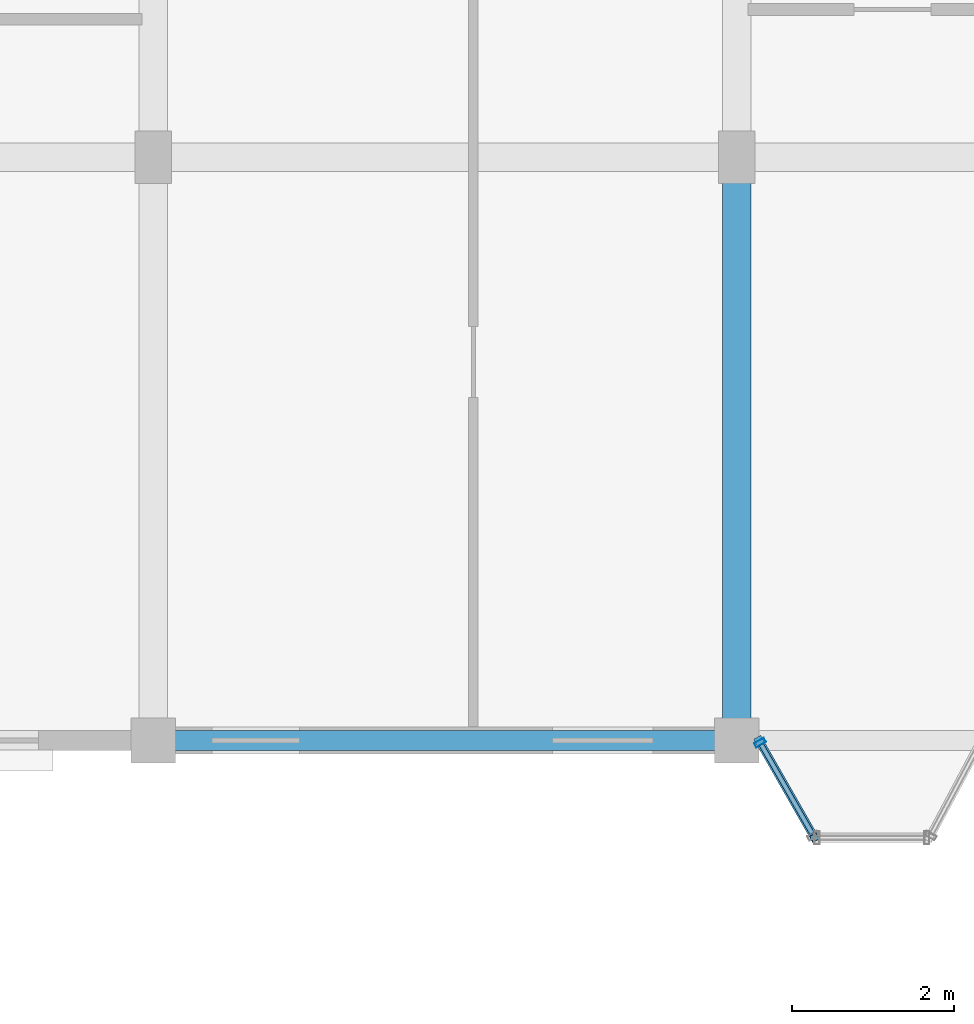
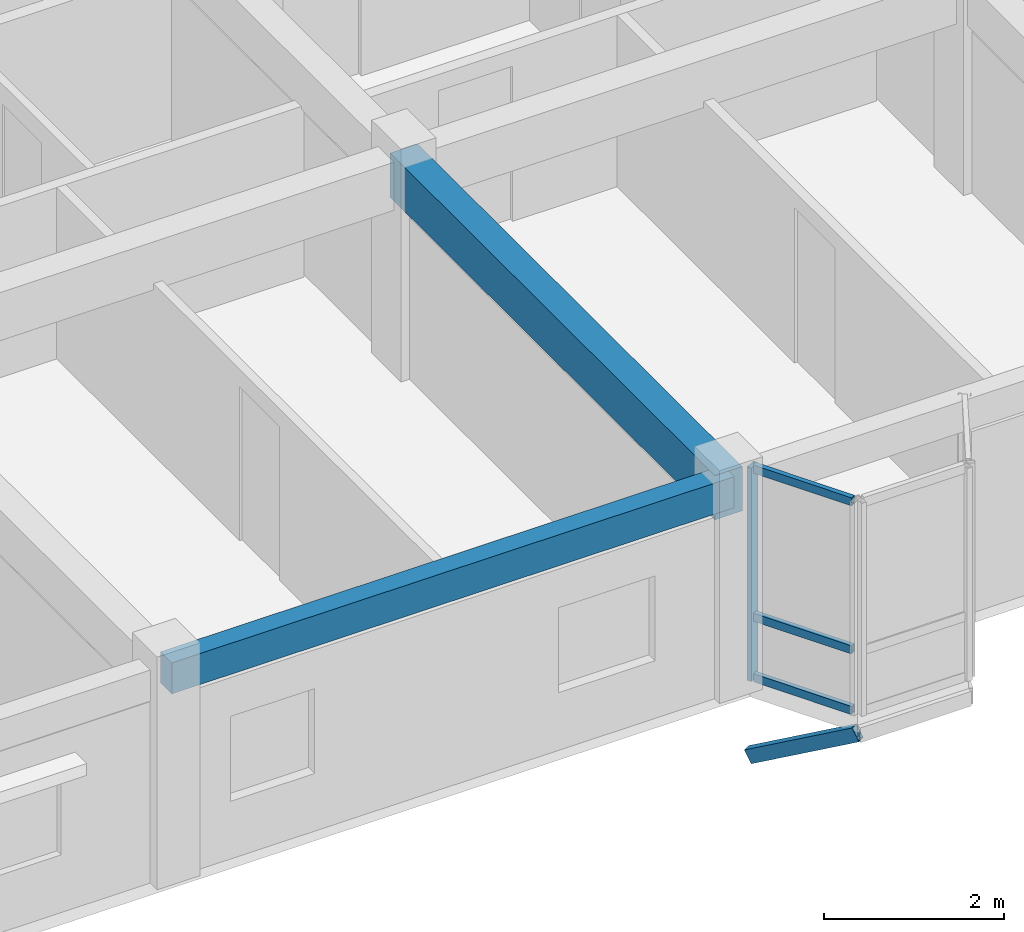
# One storey, part 35 of 77: 5 members, 2 beams, 1 element without a shape of its own.
"""IFC4 building model written with IfcOpenShell, lengths in metres."""

from ifc_helpers import new_model, si_unit, direction, frame, origin, origin_2d, place, context, subcontext, project, spatial, rectangle, hollow_rectangle, extrude, material, layer, layer_set, material_profile, profile_set, type_object, element, aggregate, save


model = new_model("IFC4")

# Units and contexts
model_context = context("Model", 3, precision=1e-05, world=origin(), true_north=direction((0.0, 1.0)))
body_context = subcontext(model_context, "Body", "Model", "MODEL_VIEW")
ifc_project = project(units=[si_unit("LENGTHUNIT", "METRE"), si_unit("AREAUNIT", "SQUARE_METRE"), si_unit("VOLUMEUNIT", "CUBIC_METRE"), si_unit("PLANEANGLEUNIT", "RADIAN"), si_unit("MASSUNIT", "GRAM", prefix="KILO"), si_unit("THERMODYNAMICTEMPERATUREUNIT", "KELVIN"), si_unit("POWERUNIT", "WATT")], contexts=[model_context])

# Site, building, storey
site_placement = place(None, origin())
site = spatial("IfcSite", under=ifc_project, at=site_placement, CompositionType="ELEMENT")
building_placement = place(site_placement, origin())
building = spatial("IfcBuilding", under=site, at=building_placement, Name="Tavuni Mirador Residences", CompositionType="ELEMENT")
storey_placement = place(building_placement, frame((0.0, 0.0, 17.10009765625)))
storey = spatial("IfcBuildingStorey", under=building, at=storey_placement, Name="L05", CompositionType="ELEMENT", Elevation=17.10009765625)

# Beams
ifc_material_1 = material(Name="Precast concrete C40/50", Category="concrete")
ifc_material_profile_1 = material_profile(ifc_material_1, rectangle(XDim=0.35009765625, YDim=0.60009765625, at=origin_2d()), Name="PC 350x600", Category="concrete")
ifc_profile_set_1 = profile_set([ifc_material_profile_1], Name="Precast concrete C40/50")
beam_type_1 = type_object("IfcBeamType", Name="BT-B600", PredefinedType="BEAM", material=ifc_profile_set_1)
beam_1_placement = place(storey_placement, frame((32.39990234375, 144.0, 2.5849609375), z_axis=(0.0, 1.0, 0.0), x_axis=(-1.0, 0.0, 0.0)))
element("IfcBeam", 1, at=beam_1_placement, inside=storey, type_object=beam_type_1, Name="BMY-BLK-C-L05-03-00", PredefinedType="BEAM", context=body_context, shape_type="SweptSolid", body=[
    extrude(rectangle(XDim=0.35009765625, YDim=0.60009765625, at=origin_2d()), origin(), (0.0, 0.0, 1.0), 7.199951171875),
])
ifc_material_profile_2 = material_profile(ifc_material_1, rectangle(XDim=0.25, YDim=0.419921875, at=origin_2d()), Name="PC 250x420", Category="concrete")
ifc_profile_set_2 = profile_set([ifc_material_profile_2], Name="Precast concrete C40/50")
beam_type_2 = type_object("IfcBeamType", Name="BT-SP420", PredefinedType="SPANDREL", material=ifc_profile_set_2)
beam_2_placement = place(storey_placement, frame((25.199951171875, 144.0, 2.6748046875), z_axis=(1.0, 0.0, 0.0), x_axis=(0.0, 1.0, 0.0)))
element("IfcBeam", 2, at=beam_2_placement, inside=storey, type_object=beam_type_2, Name="BMX-BLK-C-L05-02-00", PredefinedType="SPANDREL", context=body_context, shape_type="SweptSolid", body=[
    extrude(rectangle(XDim=0.25, YDim=0.419921875, at=origin_2d()), origin(), (0.0, 0.0, 1.0), 7.199951171875),
])

# Curtain wall, members
ifc_material_2 = material(Name="Anodised aluminium", Category="aluminium")
ifc_layer = layer(ifc_material_2, 0.1650390625, Name="Anodised aluminium", Category="aluminium")
ifc_layer_set = layer_set([ifc_layer], Name="Anodised aluminium")
curtain_wall_type = type_object("IfcCurtainWallType", Name="CWT-MIR-A", PredefinedType="NOTDEFINED", material=ifc_layer_set)
curtain_wall_placement = place(storey_placement, origin())
curtain_wall = element("IfcCurtainWall", 3, at=curtain_wall_placement, inside=storey, type_object=curtain_wall_type, Name="CW-MIR-C-S2-L05-M1", PredefinedType="NOTDEFINED")
ifc_material_profile_3 = material_profile(ifc_material_2, hollow_rectangle(XDim=0.06005859375, YDim=0.139892578125, WallThickness=0.00390625, at=origin_2d()), Name="ALU 60x140x4.0", Category="aluminium")
ifc_profile_set_3 = profile_set([ifc_material_profile_3], Name="Anodised aluminium")
member_type_1 = type_object("IfcMemberType", Name="CWM-140", PredefinedType="MULLION", material=ifc_profile_set_3)
member_1_placement = place(storey_placement, frame((32.68994140625, 143.973876953125, 0.0), z_axis=(0.0, 0.0, 1.0), x_axis=(0.495749192217, -0.868465738194, 0.0)))
member_1 = element("IfcMember", 4, at=member_1_placement, type_object=member_type_1, Name="CW-01 mullion 1", PredefinedType="MULLION", context=body_context, shape_type="SweptSolid", body=[
    extrude(hollow_rectangle(XDim=0.06005859375, YDim=0.139892578125, WallThickness=0.00390625, at=origin_2d()), origin(), (0.0, 0.0, 1.0), 2.885009765625),
])
ifc_material_profile_4 = material_profile(ifc_material_2, hollow_rectangle(XDim=0.06005859375, YDim=0.110107421875, WallThickness=0.00390625, at=origin_2d()), Name="ALU 60x110x4.0", Category="aluminium")
ifc_profile_set_4 = profile_set([ifc_material_profile_4], Name="Anodised aluminium")
member_type_2 = type_object("IfcMemberType", Name="CWT-110", PredefinedType="USERDEFINED", material=ifc_profile_set_4)
member_2_placement = place(storey_placement, frame((32.704833984375, 143.947998046875, 0.02978515625), z_axis=(0.49568048457, -0.868504955205, 0.0), x_axis=(0.868504955205, 0.49568048457, 0.0)))
member_2 = element("IfcMember", 5, at=member_2_placement, type_object=member_type_2, Name="CW-01 transom 1.1", ObjectType="TRANSOM", PredefinedType="USERDEFINED", context=body_context, shape_type="SweptSolid", body=[
    extrude(hollow_rectangle(XDim=0.06005859375, YDim=0.110107421875, WallThickness=0.00390625, at=origin_2d()), origin(), (0.0, 0.0, 1.0), 1.261962890625),
])
member_3_placement = place(storey_placement, frame((32.704833984375, 143.947998046875, 0.849853515625), z_axis=(0.49568048457, -0.868504955205, 0.0), x_axis=(0.868504955205, 0.49568048457, 0.0)))
member_3 = element("IfcMember", 6, at=member_3_placement, type_object=member_type_2, Name="CW-01 transom 1.2", ObjectType="TRANSOM", PredefinedType="USERDEFINED", context=body_context, shape_type="SweptSolid", body=[
    extrude(hollow_rectangle(XDim=0.06005859375, YDim=0.110107421875, WallThickness=0.00390625, at=origin_2d()), origin(), (0.0, 0.0, 1.0), 1.261962890625),
])
member_4_placement = place(storey_placement, frame((32.704833984375, 143.947998046875, 2.85498046875), z_axis=(0.49568048457, -0.868504955205, 0.0), x_axis=(0.868504955205, 0.49568048457, 0.0)))
member_4 = element("IfcMember", 7, at=member_4_placement, type_object=member_type_2, Name="CW-01 transom 1.3", ObjectType="TRANSOM", PredefinedType="USERDEFINED", context=body_context, shape_type="SweptSolid", body=[
    extrude(hollow_rectangle(XDim=0.06005859375, YDim=0.110107421875, WallThickness=0.00390625, at=origin_2d()), origin(), (0.0, 0.0, 1.0), 1.261962890625),
])
aggregate(curtain_wall, [member_1, member_2, member_3, member_4])

# Member
ifc_material_3 = material(Name="Structural steel S355", Category="steel")
ifc_material_profile_5 = material_profile(ifc_material_3, hollow_rectangle(XDim=0.10009765625, YDim=0.179931640625, WallThickness=0.008056640625, at=origin_2d()), Name="RHS 180x100x8.0", Category="steel")
ifc_profile_set_5 = profile_set([ifc_material_profile_5], Name="Structural steel S355")
member_type_3 = type_object("IfcMemberType", Name="MT-BR-RHS180", PredefinedType="BRACE", material=ifc_profile_set_5)
member_5_placement = place(storey_placement, frame((32.675048828125, 144.0, -1.050048828125), z_axis=(0.431095380922, -0.755108267011, 0.493931450344), x_axis=(0.868438794398, 0.495796390047, 0.0)))
element("IfcMember", 8, at=member_5_placement, inside=storey, type_object=member_type_3, Name="MBRK-MIR-C-S2-L05-1", PredefinedType="BRACE", context=body_context, shape_type="SweptSolid", body=[
    extrude(hollow_rectangle(XDim=0.10009765625, YDim=0.179931640625, WallThickness=0.008056640625, at=origin_2d()), origin(), (0.0, 0.0, 1.0), 1.589111328125),
])

save(model, "model.ifc")
